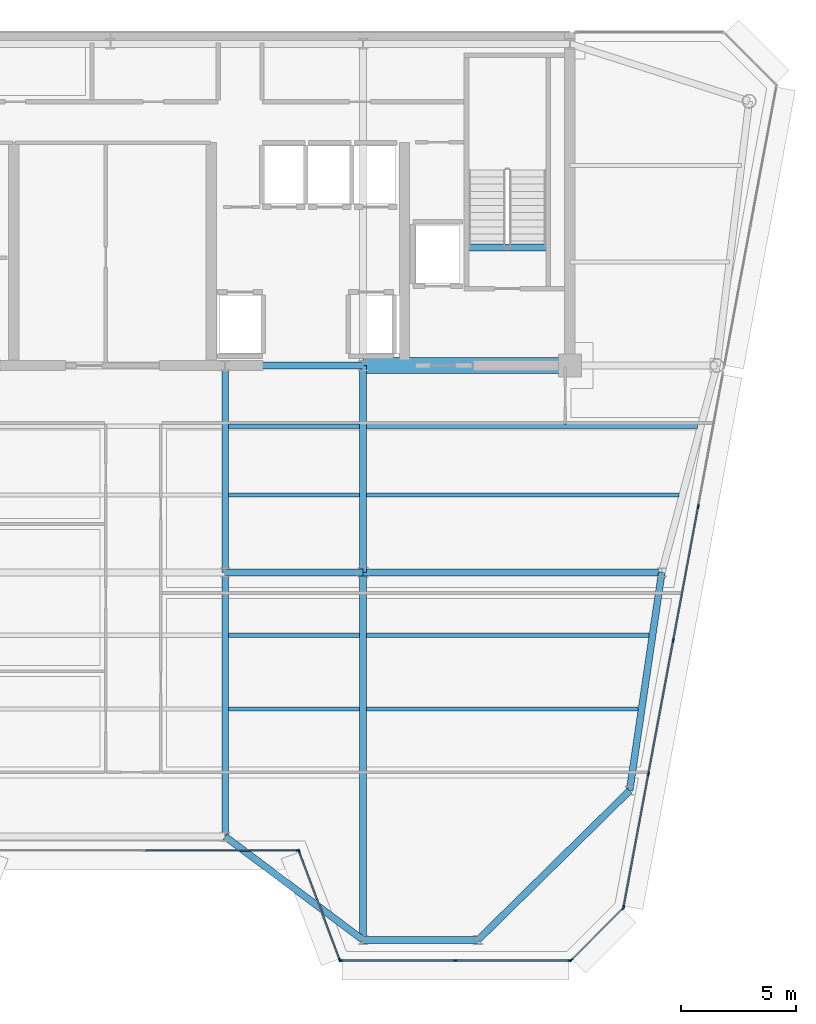
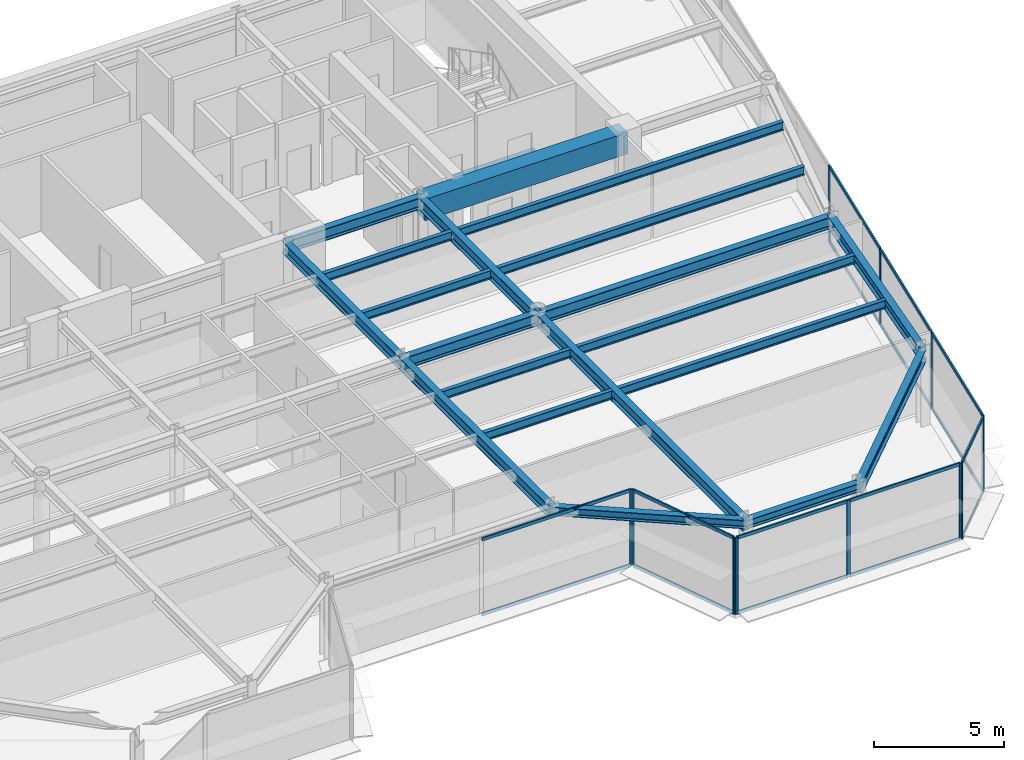
# One storey, part 5 of 18: 28 members, 21 beams, 5 elements without a shape of their own.
"""IFC4 building model written with IfcOpenShell, lengths in metres."""

from ifc_helpers import new_model, si_unit, direction, frame, origin, origin_2d, place, context, subcontext, project, spatial, rectangle, i_section, extrude, source, transform, mapped, material, layer, layer_set, material_profile, profile_set, type_object, element, aggregate, save


model = new_model("IFC4")

# Units and contexts
model_context = context("Model", 3, precision=1e-05, world=origin(), true_north=direction((0.0, 1.0)))
body_context = subcontext(model_context, "Body", "Model", "MODEL_VIEW")
ifc_project = project(units=[si_unit("LENGTHUNIT", "METRE"), si_unit("AREAUNIT", "SQUARE_METRE"), si_unit("VOLUMEUNIT", "CUBIC_METRE"), si_unit("PLANEANGLEUNIT", "RADIAN"), si_unit("MASSUNIT", "GRAM", prefix="KILO")], contexts=[model_context])

# Site, building, storey
site_placement = place(None, origin())
site = spatial("IfcSite", under=ifc_project, at=site_placement, CompositionType="ELEMENT")
building_placement = place(site_placement, origin())
building = spatial("IfcBuilding", under=site, at=building_placement, Name="Vaeldorn Concourse Tower", CompositionType="ELEMENT")
storey_placement = place(building_placement, frame((0.0, 0.0, 257.39990234375)))
storey = spatial("IfcBuildingStorey", under=building, at=storey_placement, Name="L66", CompositionType="ELEMENT", Elevation=257.39990234375)

# Beams
ifc_material_1 = material(Name="Concrete C50/60", Category="concrete")
ifc_material_profile_1 = material_profile(ifc_material_1, rectangle(XDim=0.699951171875, YDim=1.0, at=origin_2d()), Name="RC 700x1000")
ifc_profile_set_1 = profile_set([ifc_material_profile_1], Name="Concrete C50/60")
beam_type_1 = type_object("IfcBeamType", Name="BM-CB-RC700", PredefinedType="BEAM", material=ifc_profile_set_1)
shared_shape_1 = source(origin(), body_context, "Body", "SweptSolid", [
    extrude(rectangle(XDim=0.699951171875, YDim=1.0, at=origin_2d()), origin(), (0.0, 0.0, 1.0), 9.0),
])
beam_1_placement = place(storey_placement, frame((45.0, 36.5, 3.080078125), z_axis=(1.0, 0.0, 0.0), x_axis=(0.0, 1.0, 0.0)))
element("IfcBeam", 1, at=beam_1_placement, inside=storey, type_object=beam_type_1, Name="Core Coupling Beam L66-2", PredefinedType="BEAM", context=body_context, shape_type="MappedRepresentation", body=[
    mapped(shared_shape_1, transform((0.0, 0.0, 0.0), scale=1.0)),
])
ifc_material_2 = material(Name="Steel S355", Category="steel")
ifc_material_profile_2 = material_profile(ifc_material_2, i_section(OverallWidth=0.300048828125, OverallDepth=0.340087890625, WebThickness=0.011962890625, FlangeThickness=0.021484375, FilletRadius=0.027099609375, at=origin_2d()), Name="HEB 340")
ifc_profile_set_2 = profile_set([ifc_material_profile_2], Name="Steel S355")
beam_type_2 = type_object("IfcBeamType", Name="BM-ST-TRIM", PredefinedType="BEAM", material=ifc_profile_set_2)
shared_shape_2 = source(origin(), body_context, "Body", "SweptSolid", [
    extrude(i_section(OverallWidth=0.300048828125, OverallDepth=0.340087890625, WebThickness=0.011962890625, FlangeThickness=0.021484375, FilletRadius=0.027099609375, at=origin_2d()), origin(), (0.0, 0.0, 1.0), 3.590087890625),
])
beam_2_placement = place(storey_placement, frame((49.47998046875, 41.639892578125, -0.389892578125), z_axis=(1.0, 0.0, 0.0), x_axis=(0.0, 1.0, 0.0)))
element("IfcBeam", 2, at=beam_2_placement, inside=storey, type_object=beam_type_2, Name="Stair Landing Trimmer Beam ST-2 L66", PredefinedType="BEAM", context=body_context, shape_type="MappedRepresentation", body=[
    mapped(shared_shape_2, transform((0.0, 0.0, 0.0), scale=1.0)),
])
ifc_material_profile_3 = material_profile(ifc_material_2, i_section(OverallWidth=0.300048828125, OverallDepth=0.39990234375, WebThickness=0.013427734375, FlangeThickness=0.02392578125, FilletRadius=0.027099609375, at=origin_2d()), Name="HEB 400")
ifc_profile_set_3 = profile_set([ifc_material_profile_3], Name="Steel S355")
beam_type_3 = type_object("IfcBeamType", Name="BM-SP-HEB400", PredefinedType="SPANDREL", material=ifc_profile_set_3)
shared_shape_3 = source(origin(), body_context, "Body", "SweptSolid", [
    extrude(i_section(OverallWidth=0.300048828125, OverallDepth=0.39990234375, WebThickness=0.013427734375, FlangeThickness=0.02392578125, FilletRadius=0.027099609375, at=origin_2d()), origin(), (0.0, 0.0, 1.0), 5.0),
])
beam_3_placement = place(storey_placement, frame((45.0, 11.5, 3.380126953125), z_axis=(1.0, 0.0, 0.0), x_axis=(0.0, 1.0, 0.0)))
element("IfcBeam", 3, at=beam_3_placement, inside=storey, type_object=beam_type_3, Name="Beam BM-L66-C-SF5-C-SF6", PredefinedType="SPANDREL", context=body_context, shape_type="MappedRepresentation", body=[
    mapped(shared_shape_3, transform((0.0, 0.0, 0.0), scale=1.0)),
])
shared_shape_4 = source(origin(), body_context, "Body", "SweptSolid", [
    extrude(i_section(OverallWidth=0.300048828125, OverallDepth=0.39990234375, WebThickness=0.013427734375, FlangeThickness=0.02392578125, FilletRadius=0.027099609375, at=origin_2d()), origin(), (0.0, 0.0, 1.0), 7.5),
])
beam_4_placement = place(storey_placement, frame((39.0, 16.0, 3.380126953125), z_axis=(0.8, -0.6, 0.0), x_axis=(0.6, 0.8, 0.0)))
element("IfcBeam", 4, at=beam_4_placement, inside=storey, type_object=beam_type_3, Name="Beam BM-L66-C-SF4-C-SF5", PredefinedType="SPANDREL", context=body_context, shape_type="MappedRepresentation", body=[
    mapped(shared_shape_4, transform((0.0, 0.0, 0.0), scale=1.0)),
])
ifc_material_profile_4 = material_profile(ifc_material_2, i_section(OverallWidth=0.179931640625, OverallDepth=0.39990234375, WebThickness=0.008544921875, FlangeThickness=0.013427734375, FilletRadius=0.02099609375, at=origin_2d()), Name="IPE 400")
ifc_profile_set_4 = profile_set([ifc_material_profile_4], Name="Steel S355")
beam_type_4 = type_object("IfcBeamType", Name="BM-JS-IPE400", PredefinedType="JOIST", material=ifc_profile_set_4)
shared_shape_5 = source(origin(), body_context, "Body", "SweptSolid", [
    extrude(i_section(OverallWidth=0.179931640625, OverallDepth=0.39990234375, WebThickness=0.008544921875, FlangeThickness=0.013427734375, FilletRadius=0.02099609375, at=origin_2d()), origin(), (0.0, 0.0, 1.0), 5.7001953125),
])
for number, where, z_axis, x_axis, name in (
    (5, (39.14990234375, 21.56005859375, 3.380126953125), (1.0, 0.0, 0.0), (0.0, 1.0, 0.0), "Beam JS-L66-E2-215"),
    (6, (39.14990234375, 24.760009765625, 3.380126953125), (1.0, 0.0, 0.0), (0.0, 1.0, 0.0), "Beam JS-L66-E2-247"),
    (7, (39.14990234375, 30.860107421875, 3.380126953125), (1.0, 0.0, 0.0), (0.0, 1.0, 0.0), "Beam JS-L66-E2-308"),
    (8, (39.14990234375, 33.860107421875, 3.380126953125), (1.0, 0.0, 0.0), (0.0, 1.0, 0.0), "Beam JS-L66-E2-338"),
):
    element("IfcBeam", number, at=place(storey_placement, frame(where, z_axis=z_axis, x_axis=x_axis)), inside=storey, type_object=beam_type_4, Name=name, PredefinedType="JOIST", context=body_context, shape_type="MappedRepresentation", body=[
        mapped(shared_shape_5, transform((0.0, 0.0, 0.0), scale=1.0)),
    ])
shared_shape_6 = source(origin(), body_context, "Body", "SweptSolid", [
    extrude(i_section(OverallWidth=0.179931640625, OverallDepth=0.39990234375, WebThickness=0.008544921875, FlangeThickness=0.013427734375, FilletRadius=0.02099609375, at=origin_2d()), origin(), (0.0, 0.0, 1.0), 11.82470703125),
])
beam_5_placement = place(storey_placement, frame((45.14990234375, 21.56005859375, 3.380126953125), z_axis=(1.0, 0.0, 0.0), x_axis=(0.0, 1.0, 0.0)))
element("IfcBeam", 9, at=beam_5_placement, inside=storey, type_object=beam_type_4, Name="Beam JS-L66-E1-215", PredefinedType="JOIST", context=body_context, shape_type="MappedRepresentation", body=[
    mapped(shared_shape_6, transform((0.0, 0.0, 0.0), scale=1.0)),
])
shared_shape_7 = source(origin(), body_context, "Body", "SweptSolid", [
    extrude(i_section(OverallWidth=0.179931640625, OverallDepth=0.39990234375, WebThickness=0.008544921875, FlangeThickness=0.013427734375, FilletRadius=0.02099609375, at=origin_2d()), origin(), (0.0, 0.0, 1.0), 12.29638671875),
])
beam_6_placement = place(storey_placement, frame((45.14990234375, 24.760009765625, 3.380126953125), z_axis=(1.0, 0.0, 0.0), x_axis=(0.0, 1.0, 0.0)))
element("IfcBeam", 10, at=beam_6_placement, inside=storey, type_object=beam_type_4, Name="Beam JS-L66-E1-247", PredefinedType="JOIST", context=body_context, shape_type="MappedRepresentation", body=[
    mapped(shared_shape_7, transform((0.0, 0.0, 0.0), scale=1.0)),
])
shared_shape_8 = source(origin(), body_context, "Body", "SweptSolid", [
    extrude(i_section(OverallWidth=0.179931640625, OverallDepth=0.39990234375, WebThickness=0.008544921875, FlangeThickness=0.013427734375, FilletRadius=0.02099609375, at=origin_2d()), origin(), (0.0, 0.0, 1.0), 13.59619140625),
])
beam_7_placement = place(storey_placement, frame((45.14990234375, 30.860107421875, 3.380126953125), z_axis=(1.0, 0.0, 0.0), x_axis=(0.0, 1.0, 0.0)))
element("IfcBeam", 11, at=beam_7_placement, inside=storey, type_object=beam_type_4, Name="Beam JS-L66-E1-308", PredefinedType="JOIST", context=body_context, shape_type="MappedRepresentation", body=[
    mapped(shared_shape_8, transform((0.0, 0.0, 0.0), scale=1.0)),
])
shared_shape_9 = source(origin(), body_context, "Body", "SweptSolid", [
    extrude(i_section(OverallWidth=0.179931640625, OverallDepth=0.39990234375, WebThickness=0.008544921875, FlangeThickness=0.013427734375, FilletRadius=0.02099609375, at=origin_2d()), origin(), (0.0, 0.0, 1.0), 14.39599609375),
])
beam_8_placement = place(storey_placement, frame((45.14990234375, 33.860107421875, 3.380126953125), z_axis=(1.0, 0.0, 0.0), x_axis=(0.0, 1.0, 0.0)))
element("IfcBeam", 12, at=beam_8_placement, inside=storey, type_object=beam_type_4, Name="Beam JS-L66-E1-338", PredefinedType="JOIST", context=body_context, shape_type="MappedRepresentation", body=[
    mapped(shared_shape_9, transform((0.0, 0.0, 0.0), scale=1.0)),
])
ifc_material_profile_5 = material_profile(ifc_material_2, i_section(OverallWidth=0.300048828125, OverallDepth=0.550048828125, WebThickness=0.014892578125, FlangeThickness=0.029052734375, FilletRadius=0.027099609375, at=origin_2d()), Name="HEB 550")
ifc_profile_set_5 = profile_set([ifc_material_profile_5], Name="Steel S355")
beam_type_5 = type_object("IfcBeamType", Name="BM-PG-HEB550", PredefinedType="BEAM", material=ifc_profile_set_5)
shared_shape_10 = source(origin(), body_context, "Body", "SweptSolid", [
    extrude(i_section(OverallWidth=0.300048828125, OverallDepth=0.550048828125, WebThickness=0.014892578125, FlangeThickness=0.029052734375, FilletRadius=0.027099609375, at=origin_2d()), origin(), (0.0, 0.0, 1.0), 6.0),
])
for number, where, z_axis, x_axis, name in (
    (13, (39.0, 36.5, 3.30517578125), (1.0, 0.0, 0.0), (0.0, 1.0, 0.0), "Beam BM-L66-C-FC4-C-FC5"),
    (14, (39.0, 27.5, 3.30517578125), (1.0, 0.0, 0.0), (0.0, 1.0, 0.0), "Beam BM-L66-C-TW3-C-TW4"),
):
    element("IfcBeam", number, at=place(storey_placement, frame(where, z_axis=z_axis, x_axis=x_axis)), inside=storey, type_object=beam_type_5, Name=name, PredefinedType="BEAM", context=body_context, shape_type="MappedRepresentation", body=[
        mapped(shared_shape_10, transform((0.0, 0.0, 0.0), scale=1.0)),
    ])
shared_shape_11 = source(origin(), body_context, "Body", "SweptSolid", [
    extrude(i_section(OverallWidth=0.300048828125, OverallDepth=0.550048828125, WebThickness=0.014892578125, FlangeThickness=0.029052734375, FilletRadius=0.027099609375, at=origin_2d()), origin(), (0.0, 0.0, 1.0), 9.0),
])
for number, where, z_axis, x_axis, name in (
    (15, (39.0, 27.5, 3.30517578125), (0.0, 1.0, 0.0), (-1.0, 0.0, 0.0), "Beam BM-L66-C-TW3-C-FC4"),
    (16, (45.0, 27.5, 3.30517578125), (0.0, 1.0, 0.0), (-1.0, 0.0, 0.0), "Beam BM-L66-C-TW4-C-FC5"),
):
    element("IfcBeam", number, at=place(storey_placement, frame(where, z_axis=z_axis, x_axis=x_axis)), inside=storey, type_object=beam_type_5, Name=name, PredefinedType="BEAM", context=body_context, shape_type="MappedRepresentation", body=[
        mapped(shared_shape_11, transform((0.0, 0.0, 0.0), scale=1.0)),
    ])
shared_shape_12 = source(origin(), body_context, "Body", "SweptSolid", [
    extrude(i_section(OverallWidth=0.300048828125, OverallDepth=0.550048828125, WebThickness=0.014892578125, FlangeThickness=0.029052734375, FilletRadius=0.027099609375, at=origin_2d()), origin(), (0.0, 0.0, 1.0), 13.0),
])
beam_9_placement = place(storey_placement, frame((45.0, 27.5, 3.30517578125), z_axis=(1.0, 0.0, 0.0), x_axis=(0.0, 1.0, 0.0)))
element("IfcBeam", 17, at=beam_9_placement, inside=storey, type_object=beam_type_5, Name="Beam BM-L66-C-TW4-C-FLE1", PredefinedType="BEAM", context=body_context, shape_type="MappedRepresentation", body=[
    mapped(shared_shape_12, transform((0.0, 0.0, 0.0), scale=1.0)),
])
shared_shape_13 = source(origin(), body_context, "Body", "SweptSolid", [
    extrude(i_section(OverallWidth=0.300048828125, OverallDepth=0.550048828125, WebThickness=0.014892578125, FlangeThickness=0.029052734375, FilletRadius=0.027099609375, at=origin_2d()), origin(), (0.0, 0.0, 1.0), 9.6025390625),
])
beam_10_placement = place(storey_placement, frame((58.0, 27.5, 3.30517578125), z_axis=(-0.145783835977, -0.989316467652, 0.0), x_axis=(0.989316467652, -0.145783835977, 0.0)))
element("IfcBeam", 18, at=beam_10_placement, inside=storey, type_object=beam_type_5, Name="Beam BM-L66-C-FLE1-C-FLE2", PredefinedType="BEAM", context=body_context, shape_type="MappedRepresentation", body=[
    mapped(shared_shape_13, transform((0.0, 0.0, 0.0), scale=1.0)),
])
shared_shape_14 = source(origin(), body_context, "Body", "SweptSolid", [
    extrude(i_section(OverallWidth=0.300048828125, OverallDepth=0.550048828125, WebThickness=0.014892578125, FlangeThickness=0.029052734375, FilletRadius=0.027099609375, at=origin_2d()), origin(), (0.0, 0.0, 1.0), 9.263427734375),
])
beam_11_placement = place(storey_placement, frame((50.0, 11.5, 3.30517578125), z_axis=(0.71248897494, 0.701683305053, 0.0), x_axis=(-0.701683305053, 0.71248897494, 0.0)))
element("IfcBeam", 19, at=beam_11_placement, inside=storey, type_object=beam_type_5, Name="Beam BM-L66-C-SF6-C-FLE2", PredefinedType="BEAM", context=body_context, shape_type="MappedRepresentation", body=[
    mapped(shared_shape_14, transform((0.0, 0.0, 0.0), scale=1.0)),
])
shared_shape_15 = source(origin(), body_context, "Body", "SweptSolid", [
    extrude(i_section(OverallWidth=0.300048828125, OverallDepth=0.550048828125, WebThickness=0.014892578125, FlangeThickness=0.029052734375, FilletRadius=0.027099609375, at=origin_2d()), origin(), (0.0, 0.0, 1.0), 16.0),
])
beam_12_placement = place(storey_placement, frame((45.0, 11.5, 3.30517578125), z_axis=(0.0, 1.0, 0.0), x_axis=(-1.0, 0.0, 0.0)))
element("IfcBeam", 20, at=beam_12_placement, inside=storey, type_object=beam_type_5, Name="Beam BM-L66-C-SF5-C-TW4", PredefinedType="BEAM", context=body_context, shape_type="MappedRepresentation", body=[
    mapped(shared_shape_15, transform((0.0, 0.0, 0.0), scale=1.0)),
])
shared_shape_16 = source(origin(), body_context, "Body", "SweptSolid", [
    extrude(i_section(OverallWidth=0.300048828125, OverallDepth=0.550048828125, WebThickness=0.014892578125, FlangeThickness=0.029052734375, FilletRadius=0.027099609375, at=origin_2d()), origin(), (0.0, 0.0, 1.0), 11.5),
])
beam_13_placement = place(storey_placement, frame((39.0, 16.0, 3.30517578125), z_axis=(0.0, 1.0, 0.0), x_axis=(-1.0, 0.0, 0.0)))
element("IfcBeam", 21, at=beam_13_placement, inside=storey, type_object=beam_type_5, Name="Beam BM-L66-C-SF4-C-TW3", PredefinedType="BEAM", context=body_context, shape_type="MappedRepresentation", body=[
    mapped(shared_shape_16, transform((0.0, 0.0, 0.0), scale=1.0)),
])

# Curtain wall, members
ifc_material_3 = material(Name="Anodised Bronze Aluminium", Category="aluminium")
ifc_layer = layer(ifc_material_3, 0.179931640625)
ifc_layer_set = layer_set([ifc_layer], Name="Anodised Bronze Aluminium")
curtain_wall_type = type_object("IfcCurtainWallType", Name="CW-SYS-05", PredefinedType="NOTDEFINED", material=ifc_layer_set)
curtain_wall_1_placement = place(storey_placement, origin())
curtain_wall_1 = element("IfcCurtainWall", 22, at=curtain_wall_1_placement, inside=storey, type_object=curtain_wall_type, Name="Unitised Curtain Wall CW-L66-E04-1", PredefinedType="NOTDEFINED")
ifc_material_profile_6 = material_profile(ifc_material_3, rectangle(XDim=0.06494140625, YDim=0.14990234375, at=origin_2d()), Name="CWT 65x150")
ifc_profile_set_6 = profile_set([ifc_material_profile_6], Name="Anodised Bronze Aluminium")
member_type_1 = type_object("IfcMemberType", Name="CWT-BRONZE-150", PredefinedType="USERDEFINED", material=ifc_profile_set_6)
shared_shape_17 = source(origin(), body_context, "Body", "SweptSolid", [
    extrude(rectangle(XDim=0.06494140625, YDim=0.14990234375, at=origin_2d()), origin(), (0.0, 0.0, 1.0), 4.996337890625),
])
member_1_placement = place(storey_placement, frame((42.222900390625, 15.339111328125, 0.03271484375), z_axis=(0.351134151405, -0.936325161318, 0.0), x_axis=(0.936325161318, 0.351134151405, 0.0)))
member_1 = element("IfcMember", 23, at=member_1_placement, type_object=member_type_1, Name="CW-05 transom 1.1", ObjectType="TRANSOM", PredefinedType="USERDEFINED", context=body_context, shape_type="MappedRepresentation", body=[
    mapped(shared_shape_17, transform((0.0, 0.0, 0.0), scale=1.0)),
])
member_2_placement = place(storey_placement, frame((42.222900390625, 15.339111328125, 3.547607421875), z_axis=(0.351134151405, -0.936325161318, 0.0), x_axis=(0.936325161318, 0.351134151405, 0.0)))
member_2 = element("IfcMember", 24, at=member_2_placement, type_object=member_type_1, Name="CW-05 transom 1.2", ObjectType="TRANSOM", PredefinedType="USERDEFINED", context=body_context, shape_type="MappedRepresentation", body=[
    mapped(shared_shape_17, transform((0.0, 0.0, 0.0), scale=1.0)),
])

curtain_wall_2_placement = place(storey_placement, origin())
curtain_wall_2 = element("IfcCurtainWall", 25, at=curtain_wall_2_placement, inside=storey, type_object=curtain_wall_type, Name="Unitised Curtain Wall CW-L66-E03-1", PredefinedType="NOTDEFINED")
shared_shape_18 = source(origin(), body_context, "Body", "SweptSolid", [
    extrude(rectangle(XDim=0.06494140625, YDim=0.14990234375, at=origin_2d()), origin(), (0.0, 0.0, 1.0), 6.6025390625),
])
member_3_placement = place(storey_placement, frame((35.532470703125, 15.39990234375, 0.03271484375), z_axis=(1.0, 0.0, 0.0), x_axis=(0.0, 1.0, 0.0)))
member_3 = element("IfcMember", 26, at=member_3_placement, type_object=member_type_1, Name="CW-05 transom 2.1", ObjectType="TRANSOM", PredefinedType="USERDEFINED", context=body_context, shape_type="MappedRepresentation", body=[
    mapped(shared_shape_18, transform((0.0, 0.0, 0.0), scale=1.0)),
])
member_4_placement = place(storey_placement, frame((35.532470703125, 15.39990234375, 3.547607421875), z_axis=(1.0, 0.0, 0.0), x_axis=(0.0, 1.0, 0.0)))
member_4 = element("IfcMember", 27, at=member_4_placement, type_object=member_type_1, Name="CW-05 transom 2.2", ObjectType="TRANSOM", PredefinedType="USERDEFINED", context=body_context, shape_type="MappedRepresentation", body=[
    mapped(shared_shape_18, transform((0.0, 0.0, 0.0), scale=1.0)),
])

curtain_wall_3_placement = place(storey_placement, origin())
curtain_wall_3 = element("IfcCurtainWall", 28, at=curtain_wall_3_placement, inside=storey, type_object=curtain_wall_type, Name="Unitised Curtain Wall CW-L66-E06-1", PredefinedType="NOTDEFINED")
shared_shape_19 = source(origin(), body_context, "Body", "SweptSolid", [
    extrude(rectangle(XDim=0.06494140625, YDim=0.14990234375, at=origin_2d()), origin(), (0.0, 0.0, 1.0), 3.12255859375),
])
member_5_placement = place(storey_placement, frame((54.080078125, 10.64599609375, 0.03271484375), z_axis=(0.707106781187, 0.707106781187, 0.0), x_axis=(-0.707106781187, 0.707106781187, 0.0)))
member_5 = element("IfcMember", 29, at=member_5_placement, type_object=member_type_1, Name="CW-05 transom 1.1", ObjectType="TRANSOM", PredefinedType="USERDEFINED", context=body_context, shape_type="MappedRepresentation", body=[
    mapped(shared_shape_19, transform((0.0, 0.0, 0.0), scale=1.0)),
])
member_6_placement = place(storey_placement, frame((54.080078125, 10.64599609375, 3.547607421875), z_axis=(0.707106781187, 0.707106781187, 0.0), x_axis=(-0.707106781187, 0.707106781187, 0.0)))
member_6 = element("IfcMember", 30, at=member_6_placement, type_object=member_type_1, Name="CW-05 transom 1.2", ObjectType="TRANSOM", PredefinedType="USERDEFINED", context=body_context, shape_type="MappedRepresentation", body=[
    mapped(shared_shape_19, transform((0.0, 0.0, 0.0), scale=1.0)),
])

# Member
ifc_material_profile_7 = material_profile(ifc_material_3, rectangle(XDim=0.06494140625, YDim=0.169921875, at=origin_2d()), Name="CWM 65x170")
ifc_profile_set_7 = profile_set([ifc_material_profile_7], Name="Anodised Bronze Aluminium")
member_type_2 = type_object("IfcMemberType", Name="CWM-BRONZE-170", PredefinedType="MULLION", material=ifc_profile_set_7)
shared_shape_20 = source(origin(), body_context, "Body", "SweptSolid", [
    extrude(rectangle(XDim=0.06494140625, YDim=0.169921875, at=origin_2d()), origin(), (0.0, 0.0, 1.0), 3.580078125),
])
member_7_placement = place(storey_placement, frame((42.16748046875, 15.39990234375, 0.0), z_axis=(0.0, 0.0, 1.0), x_axis=(0.0, 1.0, 0.0)))
member_7 = element("IfcMember", 31, at=member_7_placement, type_object=member_type_2, Name="CW-05 mullion 3", PredefinedType="MULLION", context=body_context, shape_type="MappedRepresentation", body=[
    mapped(shared_shape_20, transform((0.0, 0.0, 0.0), scale=1.0)),
])

aggregate(curtain_wall_2, [member_7, member_3, member_4])

member_8_placement = place(storey_placement, frame((42.21142578125, 15.36962890625, 0.0), z_axis=(0.0, 0.0, 1.0), x_axis=(0.936329177566, 0.351123441595, 0.0)))
member_8 = element("IfcMember", 32, at=member_8_placement, type_object=member_type_2, Name="CW-05 mullion 1", PredefinedType="MULLION", context=body_context, shape_type="MappedRepresentation", body=[
    mapped(shared_shape_20, transform((0.0, 0.0, 0.0), scale=1.0)),
])

member_9_placement = place(storey_placement, frame((43.988525390625, 10.63037109375, 0.0), z_axis=(0.0, 0.0, 1.0), x_axis=(0.936329177566, 0.351123441595, 0.0)))
member_9 = element("IfcMember", 33, at=member_9_placement, type_object=member_type_2, Name="CW-05 mullion 2", PredefinedType="MULLION", context=body_context, shape_type="MappedRepresentation", body=[
    mapped(shared_shape_20, transform((0.0, 0.0, 0.0), scale=1.0)),
])

aggregate(curtain_wall_1, [member_8, member_9, member_1, member_2])

# Curtain wall, members
curtain_wall_4_placement = place(storey_placement, origin())
curtain_wall_4 = element("IfcCurtainWall", 34, at=curtain_wall_4_placement, inside=storey, type_object=curtain_wall_type, Name="Unitised Curtain Wall CW-L66-E05-1", PredefinedType="NOTDEFINED")
member_10_placement = place(storey_placement, frame((44.032470703125, 10.60009765625, 0.0), z_axis=(0.0, 0.0, 1.0), x_axis=(0.0, 1.0, 0.0)))
member_10 = element("IfcMember", 35, at=member_10_placement, type_object=member_type_2, Name="CW-05 mullion 1", PredefinedType="MULLION", context=body_context, shape_type="MappedRepresentation", body=[
    mapped(shared_shape_20, transform((0.0, 0.0, 0.0), scale=1.0)),
])
member_11_placement = place(storey_placement, frame((49.01708984375, 10.60009765625, 0.0), z_axis=(0.0, 0.0, 1.0), x_axis=(0.0, 1.0, 0.0)))
member_11 = element("IfcMember", 36, at=member_11_placement, type_object=member_type_2, Name="CW-05 mullion 2", PredefinedType="MULLION", context=body_context, shape_type="MappedRepresentation", body=[
    mapped(shared_shape_20, transform((0.0, 0.0, 0.0), scale=1.0)),
])
member_12_placement = place(storey_placement, frame((54.00146484375, 10.60009765625, 0.0), z_axis=(0.0, 0.0, 1.0), x_axis=(0.0, 1.0, 0.0)))
member_12 = element("IfcMember", 37, at=member_12_placement, type_object=member_type_2, Name="CW-05 mullion 3", PredefinedType="MULLION", context=body_context, shape_type="MappedRepresentation", body=[
    mapped(shared_shape_20, transform((0.0, 0.0, 0.0), scale=1.0)),
])

# Member
member_13_placement = place(storey_placement, frame((54.056884765625, 10.623046875, 0.0), z_axis=(0.0, 0.0, 1.0), x_axis=(-0.707106781187, 0.707106781187, 0.0)))
member_13 = element("IfcMember", 38, at=member_13_placement, type_object=member_type_2, Name="CW-05 mullion 1", PredefinedType="MULLION", context=body_context, shape_type="MappedRepresentation", body=[
    mapped(shared_shape_20, transform((0.0, 0.0, 0.0), scale=1.0)),
])

member_14_placement = place(storey_placement, frame((56.31103515625, 12.876953125, 0.0), z_axis=(0.0, 0.0, 1.0), x_axis=(-0.707106781187, 0.707106781187, 0.0)))
member_14 = element("IfcMember", 39, at=member_14_placement, type_object=member_type_2, Name="CW-05 mullion 2", PredefinedType="MULLION", context=body_context, shape_type="MappedRepresentation", body=[
    mapped(shared_shape_20, transform((0.0, 0.0, 0.0), scale=1.0)),
])

aggregate(curtain_wall_3, [member_13, member_14, member_5, member_6])

# Curtain wall, members
curtain_wall_5_placement = place(storey_placement, origin())
curtain_wall_5 = element("IfcCurtainWall", 40, at=curtain_wall_5_placement, inside=storey, type_object=curtain_wall_type, Name="Unitised Curtain Wall CW-L66-E07-1", PredefinedType="NOTDEFINED")
member_15_placement = place(storey_placement, frame((56.33984375, 12.931884765625, 0.0), z_axis=(0.0, 0.0, 1.0), x_axis=(-0.983102653673, 0.18305510739, 0.0)))
member_15 = element("IfcMember", 41, at=member_15_placement, type_object=member_type_2, Name="CW-05 mullion 1", PredefinedType="MULLION", context=body_context, shape_type="MappedRepresentation", body=[
    mapped(shared_shape_20, transform((0.0, 0.0, 0.0), scale=1.0)),
])
member_16_placement = place(storey_placement, frame((57.41796875, 18.72119140625, 0.0), z_axis=(0.0, 0.0, 1.0), x_axis=(-0.983102653673, 0.18305510739, 0.0)))
member_16 = element("IfcMember", 42, at=member_16_placement, type_object=member_type_2, Name="CW-05 mullion 2", PredefinedType="MULLION", context=body_context, shape_type="MappedRepresentation", body=[
    mapped(shared_shape_20, transform((0.0, 0.0, 0.0), scale=1.0)),
])
member_17_placement = place(storey_placement, frame((58.501953125, 24.54248046875, 0.0), z_axis=(0.0, 0.0, 1.0), x_axis=(-0.983102653673, 0.18305510739, 0.0)))
member_17 = element("IfcMember", 43, at=member_17_placement, type_object=member_type_2, Name="CW-05 mullion 3", PredefinedType="MULLION", context=body_context, shape_type="MappedRepresentation", body=[
    mapped(shared_shape_20, transform((0.0, 0.0, 0.0), scale=1.0)),
])
member_18_placement = place(storey_placement, frame((59.585693359375, 30.36376953125, 0.0), z_axis=(0.0, 0.0, 1.0), x_axis=(-0.983102653673, 0.18305510739, 0.0)))
member_18 = element("IfcMember", 44, at=member_18_placement, type_object=member_type_2, Name="CW-05 mullion 4", PredefinedType="MULLION", context=body_context, shape_type="MappedRepresentation", body=[
    mapped(shared_shape_20, transform((0.0, 0.0, 0.0), scale=1.0)),
])
shared_shape_21 = source(origin(), body_context, "Body", "SweptSolid", [
    extrude(rectangle(XDim=0.06494140625, YDim=0.14990234375, at=origin_2d()), origin(), (0.0, 0.0, 1.0), 5.82373046875),
])
member_19_placement = place(storey_placement, frame((56.345947265625, 12.9638671875, 0.03271484375), z_axis=(0.183030414843, 0.983107251139, 0.0), x_axis=(-0.983107251139, 0.183030414843, 0.0)))
member_19 = element("IfcMember", 45, at=member_19_placement, type_object=member_type_1, Name="CW-05 transom 1.1", ObjectType="TRANSOM", PredefinedType="USERDEFINED", context=body_context, shape_type="MappedRepresentation", body=[
    mapped(shared_shape_21, transform((0.0, 0.0, 0.0), scale=1.0)),
])
member_20_placement = place(storey_placement, frame((56.345947265625, 12.9638671875, 3.547607421875), z_axis=(0.183030414843, 0.983107251139, 0.0), x_axis=(-0.983107251139, 0.183030414843, 0.0)))
member_20 = element("IfcMember", 46, at=member_20_placement, type_object=member_type_1, Name="CW-05 transom 1.2", ObjectType="TRANSOM", PredefinedType="USERDEFINED", context=body_context, shape_type="MappedRepresentation", body=[
    mapped(shared_shape_21, transform((0.0, 0.0, 0.0), scale=1.0)),
])
shared_shape_22 = source(origin(), body_context, "Body", "SweptSolid", [
    extrude(rectangle(XDim=0.06494140625, YDim=0.14990234375, at=origin_2d()), origin(), (0.0, 0.0, 1.0), 5.856201171875),
])
member_21_placement = place(storey_placement, frame((57.423828125, 18.753173828125, 0.03271484375), z_axis=(0.18305503402, 0.983102667334, 0.0), x_axis=(-0.983102667334, 0.18305503402, 0.0)))
member_21 = element("IfcMember", 47, at=member_21_placement, type_object=member_type_1, Name="CW-05 transom 2.1", ObjectType="TRANSOM", PredefinedType="USERDEFINED", context=body_context, shape_type="MappedRepresentation", body=[
    mapped(shared_shape_22, transform((0.0, 0.0, 0.0), scale=1.0)),
])
member_22_placement = place(storey_placement, frame((57.423828125, 18.753173828125, 3.547607421875), z_axis=(0.18305503402, 0.983102667334, 0.0), x_axis=(-0.983102667334, 0.18305503402, 0.0)))
member_22 = element("IfcMember", 48, at=member_22_placement, type_object=member_type_1, Name="CW-05 transom 2.2", ObjectType="TRANSOM", PredefinedType="USERDEFINED", context=body_context, shape_type="MappedRepresentation", body=[
    mapped(shared_shape_22, transform((0.0, 0.0, 0.0), scale=1.0)),
])
member_23_placement = place(storey_placement, frame((58.5078125, 24.574462890625, 0.03271484375), z_axis=(0.18305503402, 0.983102667334, 0.0), x_axis=(-0.983102667334, 0.18305503402, 0.0)))
member_23 = element("IfcMember", 49, at=member_23_placement, type_object=member_type_1, Name="CW-05 transom 3.1", ObjectType="TRANSOM", PredefinedType="USERDEFINED", context=body_context, shape_type="MappedRepresentation", body=[
    mapped(shared_shape_22, transform((0.0, 0.0, 0.0), scale=1.0)),
])
member_24_placement = place(storey_placement, frame((58.5078125, 24.574462890625, 3.547607421875), z_axis=(0.18305503402, 0.983102667334, 0.0), x_axis=(-0.983102667334, 0.18305503402, 0.0)))
member_24 = element("IfcMember", 50, at=member_24_placement, type_object=member_type_1, Name="CW-05 transom 3.2", ObjectType="TRANSOM", PredefinedType="USERDEFINED", context=body_context, shape_type="MappedRepresentation", body=[
    mapped(shared_shape_22, transform((0.0, 0.0, 0.0), scale=1.0)),
])
aggregate(curtain_wall_5, [member_15, member_16, member_17, member_18, member_19, member_20, member_21, member_22, member_23, member_24])

# Member
shared_shape_23 = source(origin(), body_context, "Body", "SweptSolid", [
    extrude(rectangle(XDim=0.06494140625, YDim=0.14990234375, at=origin_2d()), origin(), (0.0, 0.0, 1.0), 4.919677734375),
])
member_25_placement = place(storey_placement, frame((44.06494140625, 10.60009765625, 0.03271484375), z_axis=(1.0, 0.0, 0.0), x_axis=(0.0, 1.0, 0.0)))
member_25 = element("IfcMember", 51, at=member_25_placement, type_object=member_type_1, Name="CW-05 transom 1.1", ObjectType="TRANSOM", PredefinedType="USERDEFINED", context=body_context, shape_type="MappedRepresentation", body=[
    mapped(shared_shape_23, transform((0.0, 0.0, 0.0), scale=1.0)),
])

member_26_placement = place(storey_placement, frame((44.06494140625, 10.60009765625, 3.547607421875), z_axis=(1.0, 0.0, 0.0), x_axis=(0.0, 1.0, 0.0)))
member_26 = element("IfcMember", 52, at=member_26_placement, type_object=member_type_1, Name="CW-05 transom 1.2", ObjectType="TRANSOM", PredefinedType="USERDEFINED", context=body_context, shape_type="MappedRepresentation", body=[
    mapped(shared_shape_23, transform((0.0, 0.0, 0.0), scale=1.0)),
])

shared_shape_24 = source(origin(), body_context, "Body", "SweptSolid", [
    extrude(rectangle(XDim=0.06494140625, YDim=0.14990234375, at=origin_2d()), origin(), (0.0, 0.0, 1.0), 4.91943359375),
])
member_27_placement = place(storey_placement, frame((49.049560546875, 10.60009765625, 0.03271484375), z_axis=(1.0, 0.0, 0.0), x_axis=(0.0, 1.0, 0.0)))
member_27 = element("IfcMember", 53, at=member_27_placement, type_object=member_type_1, Name="CW-05 transom 2.1", ObjectType="TRANSOM", PredefinedType="USERDEFINED", context=body_context, shape_type="MappedRepresentation", body=[
    mapped(shared_shape_24, transform((0.0, 0.0, 0.0), scale=1.0)),
])

member_28_placement = place(storey_placement, frame((49.049560546875, 10.60009765625, 3.547607421875), z_axis=(1.0, 0.0, 0.0), x_axis=(0.0, 1.0, 0.0)))
member_28 = element("IfcMember", 54, at=member_28_placement, type_object=member_type_1, Name="CW-05 transom 2.2", ObjectType="TRANSOM", PredefinedType="USERDEFINED", context=body_context, shape_type="MappedRepresentation", body=[
    mapped(shared_shape_24, transform((0.0, 0.0, 0.0), scale=1.0)),
])

aggregate(curtain_wall_4, [member_10, member_11, member_12, member_25, member_26, member_27, member_28])

save(model, "model.ifc")
